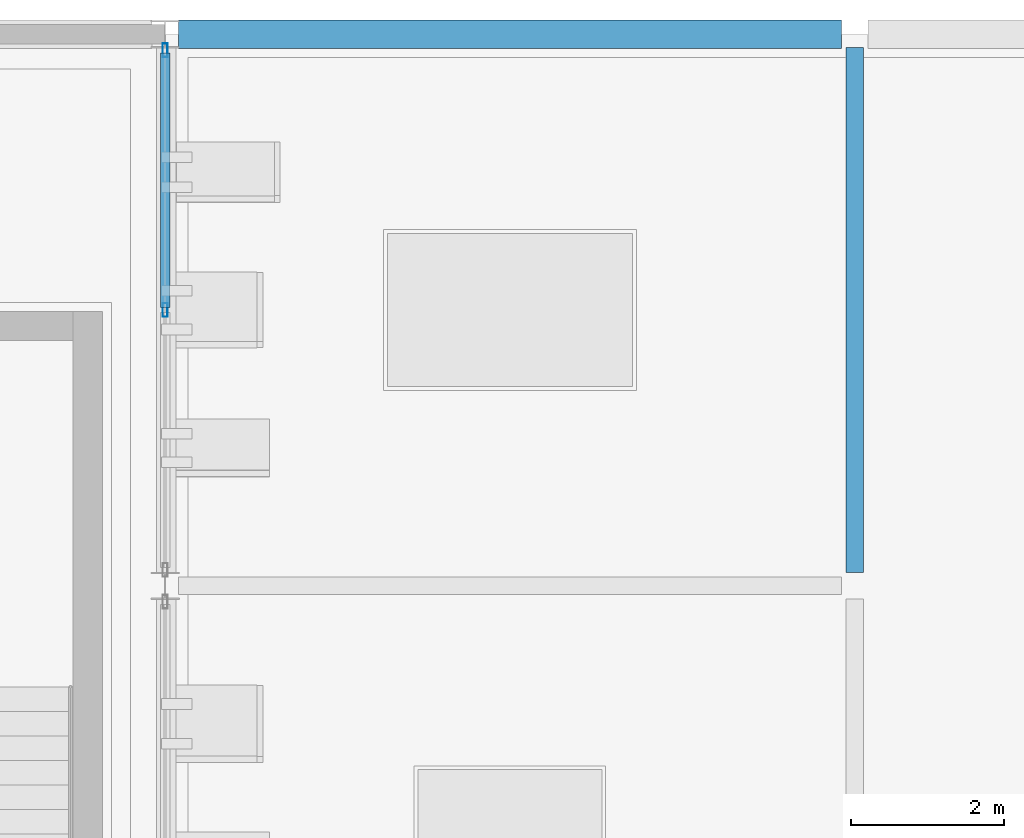
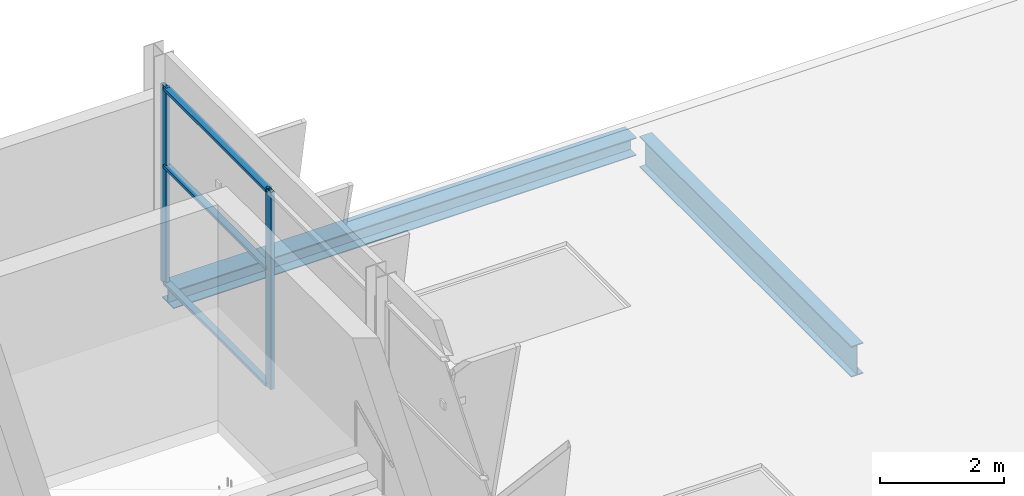
# One storey, part 42 of 78: 5 members, 2 beams, 1 element without a shape of its own.
"""IFC4 building model written with IfcOpenShell, lengths in metres."""

from ifc_helpers import new_model, si_unit, direction, frame, origin, origin_2d, place, context, subcontext, project, spatial, hollow_rectangle, i_section, extrude, material, layer, layer_set, material_profile, profile_set, type_object, element, aggregate, save


model = new_model("IFC4")

# Units and contexts
model_context = context("Model", 3, precision=1e-05, world=origin(), true_north=direction((0.0, 1.0)))
body_context = subcontext(model_context, "Body", "Model", "MODEL_VIEW")
ifc_project = project(units=[si_unit("LENGTHUNIT", "METRE"), si_unit("AREAUNIT", "SQUARE_METRE"), si_unit("VOLUMEUNIT", "CUBIC_METRE"), si_unit("PLANEANGLEUNIT", "RADIAN"), si_unit("MASSUNIT", "GRAM", prefix="KILO")], contexts=[model_context])

# Site, building, storey
site_placement = place(None, origin())
site = spatial("IfcSite", under=ifc_project, at=site_placement, CompositionType="ELEMENT")
building_placement = place(site_placement, origin())
building = spatial("IfcBuilding", under=site, at=building_placement, Name="Celestram Park Convention Centre", CompositionType="ELEMENT")
storey_placement = place(building_placement, frame((0.0, 0.0, 19.800048828125)))
storey = spatial("IfcBuildingStorey", under=building, at=storey_placement, Name="L04", CompositionType="ELEMENT", Elevation=19.800048828125)

# Curtain wall, members
ifc_material_1 = material(Name="Anodised Aluminium Alloy 6063-T6", Category="aluminium")
ifc_layer = layer(ifc_material_1, 0.179931640625)
ifc_layer_set = layer_set([ifc_layer], Name="Anodised Aluminium Alloy 6063-T6")
curtain_wall_type = type_object("IfcCurtainWallType", Name="ARC-CW-685X390", PredefinedType="NOTDEFINED", material=ifc_layer_set)
curtain_wall_placement = place(storey_placement, origin())
curtain_wall = element("IfcCurtainWall", 1, at=curtain_wall_placement, inside=storey, type_object=curtain_wall_type, Name="Unitised curtain wall CU-L04-237", PredefinedType="NOTDEFINED")
ifc_material_profile_1 = material_profile(ifc_material_1, hollow_rectangle(XDim=0.06494140625, YDim=0.179931640625, WallThickness=0.00390625, at=origin_2d()), Name="ALU65X180X4")
ifc_profile_set_1 = profile_set([ifc_material_profile_1], Name="Anodised Aluminium Alloy 6063-T6")
member_type_1 = type_object("IfcMemberType", Name="ARC-CWM-150", PredefinedType="MULLION", material=ifc_profile_set_1)
member_1_placement = place(storey_placement, frame((99.0, 165.3916015625, 0.0), z_axis=(0.0, 0.0, 1.0), x_axis=(1.0, 0.0, 0.0)))
member_1 = element("IfcMember", 2, at=member_1_placement, type_object=member_type_1, Name="CW-68X39 mullion 1", PredefinedType="MULLION", context=body_context, shape_type="SweptSolid", body=[
    extrude(hollow_rectangle(XDim=0.06494140625, YDim=0.179931640625, WallThickness=0.00390625, at=origin_2d()), origin(), (0.0, 0.0, 1.0), 3.904052734375),
])
member_2_placement = place(storey_placement, frame((99.0, 162.0, 0.0), z_axis=(0.0, 0.0, 1.0), x_axis=(1.0, 0.0, 0.0)))
member_2 = element("IfcMember", 3, at=member_2_placement, type_object=member_type_1, Name="CW-68X39 mullion 2", PredefinedType="MULLION", context=body_context, shape_type="SweptSolid", body=[
    extrude(hollow_rectangle(XDim=0.06494140625, YDim=0.179931640625, WallThickness=0.00390625, at=origin_2d()), origin(), (0.0, 0.0, 1.0), 3.904052734375),
])
ifc_material_profile_2 = material_profile(ifc_material_1, hollow_rectangle(XDim=0.1201171875, YDim=0.06005859375, WallThickness=0.0029296875, at=origin_2d()), Name="ALU120X60X3")
ifc_profile_set_2 = profile_set([ifc_material_profile_2], Name="Anodised Aluminium Alloy 6063-T6")
member_type_2 = type_object("IfcMemberType", Name="ARC-CWT-120", PredefinedType="USERDEFINED", material=ifc_profile_set_2)
member_3_placement = place(storey_placement, frame((99.0, 165.35888671875, 0.030029296875), z_axis=(0.0, -1.0, 0.0), x_axis=(1.0, 0.0, 0.0)))
member_3 = element("IfcMember", 4, at=member_3_placement, type_object=member_type_2, Name="CW-68X39 transom 1.1", ObjectType="TRANSOM", PredefinedType="USERDEFINED", context=body_context, shape_type="SweptSolid", body=[
    extrude(hollow_rectangle(XDim=0.1201171875, YDim=0.06005859375, WallThickness=0.0029296875, at=origin_2d()), origin(), (0.0, 0.0, 1.0), 3.326416015625),
])
member_4_placement = place(storey_placement, frame((99.0, 165.35888671875, 2.342041015625), z_axis=(0.0, -1.0, 0.0), x_axis=(1.0, 0.0, 0.0)))
member_4 = element("IfcMember", 5, at=member_4_placement, type_object=member_type_2, Name="CW-68X39 transom 1.2", ObjectType="TRANSOM", PredefinedType="USERDEFINED", context=body_context, shape_type="SweptSolid", body=[
    extrude(hollow_rectangle(XDim=0.1201171875, YDim=0.06005859375, WallThickness=0.0029296875, at=origin_2d()), origin(), (0.0, 0.0, 1.0), 3.326416015625),
])
member_5_placement = place(storey_placement, frame((99.0, 165.35888671875, 3.8740234375), z_axis=(0.0, -1.0, 0.0), x_axis=(1.0, 0.0, 0.0)))
member_5 = element("IfcMember", 6, at=member_5_placement, type_object=member_type_2, Name="CW-68X39 transom 1.3", ObjectType="TRANSOM", PredefinedType="USERDEFINED", context=body_context, shape_type="SweptSolid", body=[
    extrude(hollow_rectangle(XDim=0.1201171875, YDim=0.06005859375, WallThickness=0.0029296875, at=origin_2d()), origin(), (0.0, 0.0, 1.0), 3.326416015625),
])
aggregate(curtain_wall, [member_1, member_2, member_3, member_4, member_5])

# Beams
ifc_material_2 = material(Name="Steel ASTM A992 Grade 50", Category="steel")
ifc_material_profile_3 = material_profile(ifc_material_2, i_section(OverallWidth=0.22900390625, OverallDepth=0.612060546875, WebThickness=0.011962890625, FlangeThickness=0.01953125, at=origin_2d()), Name="W24X84")
ifc_profile_set_3 = profile_set([ifc_material_profile_3], Name="Steel ASTM A992 Grade 50")
beam_type_1 = type_object("IfcBeamType", Name="STR-BM-W24X84", PredefinedType="BEAM", material=ifc_profile_set_3)
beam_1_placement = place(storey_placement, frame((108.0, 158.572998046875, -0.546142578125), z_axis=(0.0, 1.0, 0.0), x_axis=(-1.0, 0.0, 0.0)))
element("IfcBeam", 7, at=beam_1_placement, inside=storey, type_object=beam_type_1, Name="Primary Y-girder BG-L04-0129", PredefinedType="BEAM", context=body_context, shape_type="SweptSolid", body=[
    extrude(i_section(OverallWidth=0.22900390625, OverallDepth=0.612060546875, WebThickness=0.011962890625, FlangeThickness=0.01953125, at=origin_2d()), origin(), (0.0, 0.0, 1.0), 6.85400390625),
])
ifc_material_profile_4 = material_profile(ifc_material_2, i_section(OverallWidth=0.367919921875, OverallDepth=0.35595703125, WebThickness=0.01123046875, FlangeThickness=0.01806640625, at=origin_2d()), Name="W14X90")
ifc_profile_set_4 = profile_set([ifc_material_profile_4], Name="Steel ASTM A992 Grade 50")
beam_type_2 = type_object("IfcBeamType", Name="STR-SPN-W14X90", PredefinedType="SPANDREL", material=ifc_profile_set_4)
beam_2_placement = place(storey_placement, frame((99.173095703125, 165.60009765625, -0.41796875), z_axis=(1.0, 0.0, 0.0), x_axis=(0.0, 1.0, 0.0)))
element("IfcBeam", 8, at=beam_2_placement, inside=storey, type_object=beam_type_2, Name="Primary X-girder BG-L04-0116", PredefinedType="SPANDREL", context=body_context, shape_type="SweptSolid", body=[
    extrude(i_section(OverallWidth=0.367919921875, OverallDepth=0.35595703125, WebThickness=0.01123046875, FlangeThickness=0.01806640625, at=origin_2d()), origin(), (0.0, 0.0, 1.0), 8.65380859375),
])

save(model, "model.ifc")
